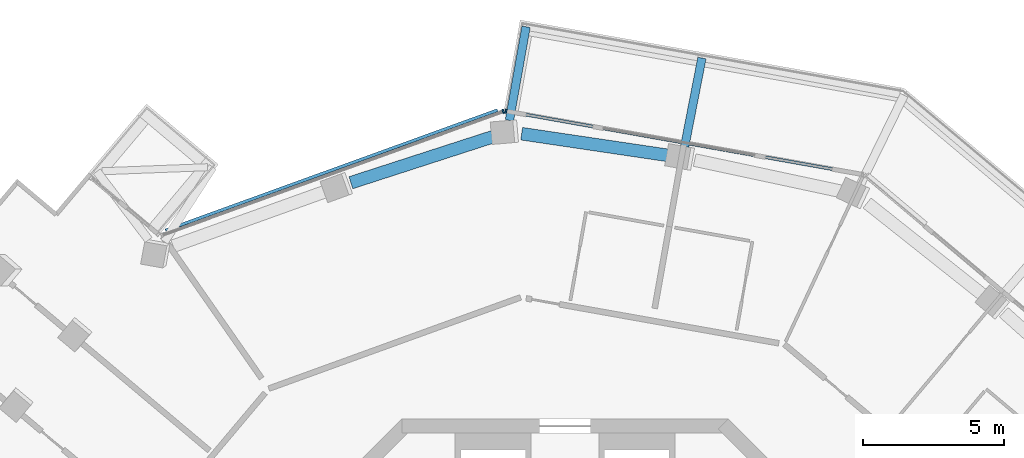
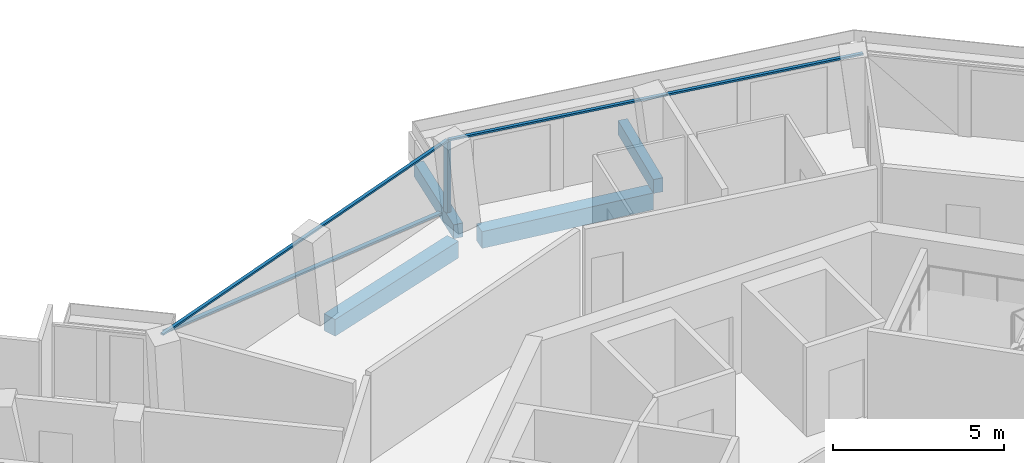
# One storey, part 6 of 22: 5 members, 4 beams, 2 elements without a shape of their own.
"""IFC4 building model written with IfcOpenShell, lengths in metres."""

import ifcopenshell
import ifcopenshell.guid

model = None  # the IFC model being written
_history = None  # IfcOwnerHistory: only IFC2X3 demands one
_inside = {}  # id of a spatial element -> (the spatial element, [elements in it])
_under = {}  # id of a project, library or spatial element -> (it, [spatial elements below it])
_declared = {}  # id of a project -> (the project, [libraries it declares])
_typed = {}  # id of a type object -> (the type object, [elements of that type])
_made_of = {}  # id of a material, layer set ... -> (it, [elements and type objects made of it])


def new_model(schema):
    """Start an empty IFC model of exactly this schema.

    Asked for "IFC4X3", IfcOpenShell would pick the latest addendum, in which some entities
    have other attributes; the version numbers below select the first issue.
    IFC2X3 requires an IfcOwnerHistory on every rooted entity: one is made here for all.
    """
    global model, _history
    if schema == "IFC4X3":
        model = ifcopenshell.file(schema_version=(4, 3, 0, 0))
    else:
        model = ifcopenshell.file(schema=schema)
    _inside.clear()
    _under.clear()
    _declared.clear()
    _typed.clear()
    _made_of.clear()
    _history = None
    if model.schema == "IFC2X3":
        org = make("IfcOrganization", Name="unknown")
        user = make(
            "IfcPersonAndOrganization",
            ThePerson=make("IfcPerson", FamilyName="unknown"),
            TheOrganization=org,
        )
        app = make(
            "IfcApplication",
            ApplicationDeveloper=org,
            Version="unknown",
            ApplicationFullName="unknown",
            ApplicationIdentifier="unknown",
        )
        _history = make(
            "IfcOwnerHistory",
            OwningUser=user,
            OwningApplication=app,
            ChangeAction="ADDED",
            CreationDate=0,
        )
    return model


def make(cls, **values):
    """One entity of the class cls with the attributes given. An attribute that is None is left unset."""
    return model.create_entity(
        cls, **{name: value for name, value in values.items() if value is not None}
    )


def rooted(cls, **values):
    """An entity with a GlobalId (a new one), such as an element, a storey or a relation."""
    return make(cls, GlobalId=ifcopenshell.guid.new(), OwnerHistory=_history, **values)


def si_unit(unit_type, name, prefix=None):
    """IfcSIUnit, for example si_unit("LENGTHUNIT", "METRE", prefix="MILLI")."""
    return make("IfcSIUnit", UnitType=unit_type, Prefix=prefix, Name=name)


def assignment(units):
    """IfcUnitAssignment: the units of a project."""
    return None if units is None else make("IfcUnitAssignment", Units=units)


def point(xyz):
    """IfcCartesianPoint."""
    return None if xyz is None else make("IfcCartesianPoint", Coordinates=xyz)


def direction(xyz):
    """IfcDirection."""
    return None if xyz is None else make("IfcDirection", DirectionRatios=xyz)


def frame(location, z_axis=None, x_axis=None):
    """IfcAxis2Placement3D, a coordinate frame: its origin and axes. An axis left out is left unset."""
    return make(
        "IfcAxis2Placement3D",
        Location=point(location),
        Axis=direction(z_axis),
        RefDirection=direction(x_axis),
    )


def frame_2d(location, x_axis=None):
    """IfcAxis2Placement2D, a coordinate frame in the plane: its origin and x axis."""
    return make(
        "IfcAxis2Placement2D", Location=point(location), RefDirection=direction(x_axis)
    )


def origin():
    """The frame at (0, 0, 0) with its axes left unset."""
    return frame((0.0, 0.0, 0.0))


def origin_2d():
    """The frame at (0, 0) in the plane with its x axis left unset."""
    return frame_2d((0.0, 0.0))


def place(relative_to, where):
    """IfcLocalPlacement: puts the frame where relative to a parent placement (None: the world)."""
    return make(
        "IfcLocalPlacement", PlacementRelTo=relative_to, RelativePlacement=where
    )


def context(
    kind, dimensions, precision=None, world=None, true_north=None, identifier=None
):
    """IfcGeometricRepresentationContext, for example the 3D "Model" context."""
    return make(
        "IfcGeometricRepresentationContext",
        ContextIdentifier=identifier,
        ContextType=kind,
        CoordinateSpaceDimension=dimensions,
        Precision=precision,
        WorldCoordinateSystem=world,
        TrueNorth=true_north,
    )


def subcontext(parent, identifier, kind, view, scale=None):
    """IfcGeometricRepresentationSubContext, for example "Body" below "Model"."""
    return make(
        "IfcGeometricRepresentationSubContext",
        ContextIdentifier=identifier,
        ContextType=kind,
        ParentContext=parent,
        TargetScale=scale,
        TargetView=view,
    )


def project(units=None, contexts=None):
    """IfcProject with its units and contexts."""
    return rooted(
        "IfcProject",
        Name="project",
        RepresentationContexts=contexts,
        UnitsInContext=assignment(units),
    )


def spatial(cls, under=None, at=None, **own):
    """A site, building, storey or space (cls), placed at a placement, below another one or the project."""
    s = rooted(cls, ObjectPlacement=at, **own)
    if under is not None:
        _under.setdefault(under.id(), (under, []))[1].append(s)
    return s


def profile(cls, at=None, kind="AREA", **sizes):
    """A parametric profile (cls). Its sizes go by their IFC names, for example OverallWidth=200.0."""
    return make(cls, ProfileType=kind, Position=at, **sizes)


def rectangle(**sizes):
    """IfcRectangleProfileDef."""
    return profile("IfcRectangleProfileDef", **sizes)


def extrude(swept, where, along, depth):
    """IfcExtrudedAreaSolid: the profile swept, set in the frame where, extruded along a direction by depth."""
    return make(
        "IfcExtrudedAreaSolid",
        SweptArea=swept,
        Position=where,
        ExtrudedDirection=direction(along),
        Depth=depth,
    )


def shape(context_of_items, identifier, shape_type, items):
    """IfcShapeRepresentation: the items that make up one representation, for example the "Body"."""
    return make(
        "IfcShapeRepresentation",
        ContextOfItems=context_of_items,
        RepresentationIdentifier=identifier,
        RepresentationType=shape_type,
        Items=items,
    )


def material(Name=None, Category=None):
    """IfcMaterial."""
    return make("IfcMaterial", Name=Name, Category=Category)


def layer(
    of_material, thickness, ventilated=None, Name=None, Category=None, Priority=None
):
    """IfcMaterialLayer: one layer of a wall or slab, of a material (None: an air gap)."""
    return make(
        "IfcMaterialLayer",
        Material=of_material,
        LayerThickness=thickness,
        IsVentilated=ventilated,
        Name=Name,
        Category=Category,
        Priority=Priority,
    )


def layer_set(layers, Name=None):
    """IfcMaterialLayerSet."""
    return make("IfcMaterialLayerSet", MaterialLayers=layers, LayerSetName=Name)


def material_profile(
    of_material, cross_section, Name=None, Category=None, Priority=None
):
    """IfcMaterialProfile: a cross section and its material."""
    return make(
        "IfcMaterialProfile",
        Name=Name,
        Material=of_material,
        Profile=cross_section,
        Priority=Priority,
        Category=Category,
    )


def profile_set(profiles, Name=None, composite=None):
    """IfcMaterialProfileSet."""
    return make(
        "IfcMaterialProfileSet",
        Name=Name,
        MaterialProfiles=profiles,
        CompositeProfile=composite,
    )


def made_of(thing, what):
    """Note that an element or type object is made of a material, layer set ...; save() writes the relation."""
    if what is not None:
        _made_of.setdefault(what.id(), (what, []))[1].append(thing)
    return thing


def type_object(cls, material=None, **own):
    """A type object (cls), such as IfcWallType, which elements share."""
    return made_of(rooted(cls, **own), material)


def element(
    cls,
    number,
    at=None,
    inside=None,
    cuts=None,
    type_object=None,
    material=None,
    context=None,
    identifier="Body",
    shape_type=None,
    held_by="IfcProductDefinitionShape",
    body=None,
    shapes=None,
    **own,
):
    """One element of the class cls, such as IfcWall. Its Tag is "e" and its number.

    at: its placement. inside: the storey or other place that contains it. cuts: it is an
    opening in that element (IfcRelVoidsElement). A single representation is given by context,
    identifier, shape_type and body (its items); several are given by shapes. held_by: the class
    of the entity that holds the representations. save() writes the other relations.
    """
    e = rooted(cls, Tag="e%d" % number, ObjectPlacement=at, **own)
    if body is not None:
        shapes = [shape(context, identifier, shape_type, body)]
    if shapes is not None:
        e.Representation = make(held_by, Representations=shapes)
    if inside is not None:
        _inside.setdefault(inside.id(), (inside, []))[1].append(e)
    if cuts is not None:
        rooted(
            "IfcRelVoidsElement", RelatingBuildingElement=cuts, RelatedOpeningElement=e
        )
    if type_object is not None:
        _typed.setdefault(type_object.id(), (type_object, []))[1].append(e)
    return made_of(e, material)


def aggregate(whole, parts):
    """IfcRelAggregates: a whole, such as a stair, and the parts it consists of."""
    return rooted("IfcRelAggregates", RelatingObject=whole, RelatedObjects=parts)


def save(model, path):
    """Write the relations noted so far, then the file.

    IfcRelAggregates (storeys below a building ...), IfcRelContainedInSpatialStructure (elements
    in a storey), IfcRelDefinesByType, IfcRelAssociatesMaterial and IfcRelDeclares: one each for
    every whole, place, type object, material and project.
    """
    for whole, parts in _under.values():
        aggregate(whole, parts)
    for where, things in _inside.values():
        rooted(
            "IfcRelContainedInSpatialStructure",
            RelatedElements=things,
            RelatingStructure=where,
        )
    for kind, things in _typed.values():
        rooted("IfcRelDefinesByType", RelatedObjects=things, RelatingType=kind)
    for what, things in _made_of.values():
        rooted("IfcRelAssociatesMaterial", RelatedObjects=things, RelatingMaterial=what)
    for by, libraries in _declared.values():
        rooted("IfcRelDeclares", RelatingContext=by, RelatedDefinitions=libraries)
    model.write(path)


model = new_model("IFC4")

# Units and contexts
model_context = context("Model", 3, precision=1e-05, world=origin(), true_north=direction((0.0, 1.0)))
body_context = subcontext(model_context, "Body", "Model", "MODEL_VIEW")
ifc_project = project(units=[si_unit("LENGTHUNIT", "METRE"), si_unit("AREAUNIT", "SQUARE_METRE"), si_unit("VOLUMEUNIT", "CUBIC_METRE"), si_unit("PLANEANGLEUNIT", "RADIAN"), si_unit("MASSUNIT", "GRAM", prefix="KILO")], contexts=[model_context])

# Site, building, storey
site_placement = place(None, origin())
site = spatial("IfcSite", under=ifc_project, at=site_placement, CompositionType="ELEMENT")
building_placement = place(site_placement, origin())
building = spatial("IfcBuilding", under=site, at=building_placement, Name="Verdalira Terraces Hotel", CompositionType="ELEMENT")
storey_placement = place(building_placement, frame((0.0, 0.0, 237.5)))
storey = spatial("IfcBuildingStorey", under=building, at=storey_placement, Name="L58", CompositionType="ELEMENT", Elevation=237.5)

# Beams
ifc_material_1 = material(Name="Concrete C40", Category="concrete")
ifc_material_profile_1 = material_profile(ifc_material_1, rectangle(XDim=0.300049, YDim=0.5, at=origin_2d()), Name="RC 300X500")
ifc_profile_set_1 = profile_set([ifc_material_profile_1], Name="Concrete C40")
beam_type_1 = type_object("IfcBeamType", Name="Balcony cantilever beam RC 300X500 C40", PredefinedType="BEAM", material=ifc_profile_set_1)
beam_1_placement = place(storey_placement, frame((4.251953, 23.679199, -0.560059), z_axis=(0.191449427, 0.981502479, 0.0), x_axis=(-0.981502479, 0.191449427, 0.0)))
element("IfcBeam", 1, at=beam_1_placement, inside=storey, type_object=beam_type_1, Name="Balcony cantilever beam R39-4", PredefinedType="BEAM", context=body_context, shape_type="SweptSolid", body=[
    extrude(rectangle(XDim=0.300049, YDim=0.5, at=origin_2d()), origin(), (0.0, 0.0, 1.0), 3.200928),
])
beam_2_placement = place(storey_placement, frame((-1.974854, 24.60498, -0.560059), z_axis=(0.17507536, 0.984555036, 0.0), x_axis=(-0.984555036, 0.17507536, 0.0)))
element("IfcBeam", 2, at=beam_2_placement, inside=storey, type_object=beam_type_1, Name="Balcony cantilever beam R39-5", PredefinedType="BEAM", context=body_context, shape_type="SweptSolid", body=[
    extrude(rectangle(XDim=0.300049, YDim=0.5, at=origin_2d()), origin(), (0.0, 0.0, 1.0), 3.378906),
])

# Curtain wall, member
ifc_material_2 = material(Name="Clear glass", Category="glass")
ifc_layer = layer(ifc_material_2, 0.14990234375)
ifc_layer_set = layer_set([ifc_layer], Name="CW1 curtain wall")
curtain_wall_type = type_object("IfcCurtainWallType", Name="CW1 curtain wall", PredefinedType="NOTDEFINED", material=ifc_layer_set)
curtain_wall_1_placement = place(storey_placement, origin())
curtain_wall_1 = element("IfcCurtainWall", 3, at=curtain_wall_1_placement, inside=storey, type_object=curtain_wall_type, Name="CW1 curtain wall L58 edge 40", PredefinedType="NOTDEFINED")
ifc_material_3 = material(Name="Terracotta frame", Category="masonry")
ifc_material_profile_2 = material_profile(ifc_material_3, rectangle(XDim=0.060059, YDim=0.149902, at=origin_2d()), Name="MU 60x150")
ifc_profile_set_2 = profile_set([ifc_material_profile_2], Name="Terracotta frame")
member_type_1 = type_object("IfcMemberType", Name="CW1 mullion 60x150", PredefinedType="MULLION", material=ifc_profile_set_2)
member_1_placement = place(storey_placement, frame((-2.0979, 24.935303, 0.0), z_axis=(0.0, 0.0, 1.0), x_axis=(-0.984564335, 0.175023059, 0.0)))
member_1 = element("IfcMember", 4, at=member_1_placement, type_object=member_type_1, Name="CW1 mullion", PredefinedType="MULLION", context=body_context, shape_type="SweptSolid", body=[
    extrude(rectangle(XDim=0.060059, YDim=0.149902, at=origin_2d()), origin(), (0.0, 0.0, 1.0), 2.524902),
])

curtain_wall_2_placement = place(storey_placement, origin())
curtain_wall_2 = element("IfcCurtainWall", 5, at=curtain_wall_2_placement, inside=storey, type_object=curtain_wall_type, Name="CW1 curtain wall L58 edge 41", PredefinedType="NOTDEFINED")
member_2_placement = place(storey_placement, frame((-2.194336, 24.927002, 0.0), z_axis=(0.0, 0.0, 1.0), x_axis=(-0.940169255, -0.340707752, 0.0)))
member_2 = element("IfcMember", 6, at=member_2_placement, type_object=member_type_1, Name="CW1 mullion", PredefinedType="MULLION", context=body_context, shape_type="SweptSolid", body=[
    extrude(rectangle(XDim=0.060059, YDim=0.149902, at=origin_2d()), origin(), (0.0, 0.0, 1.0), 2.524902),
])

# Member
ifc_material_4 = material(Name="Terracotta frame", Category="masonry")
ifc_material_profile_3 = material_profile(ifc_material_4, rectangle(XDim=0.110107, YDim=0.064941, at=origin_2d()), Name="TR 65x110")
ifc_profile_set_3 = profile_set([ifc_material_profile_3], Name="Terracotta frame")
member_type_2 = type_object("IfcMemberType", Name="CW1 transom 65x110", PredefinedType="USERDEFINED", material=ifc_profile_set_3)
member_3_placement = place(storey_placement, frame((10.592773, 22.679443, 2.557617), z_axis=(-0.984564389, 0.175022751, 0.0), x_axis=(-0.175022751, -0.984564389, 0.0)))
member_3 = element("IfcMember", 7, at=member_3_placement, type_object=member_type_2, Name="CW1 transom", ObjectType="TRANSOM", PredefinedType="USERDEFINED", context=body_context, shape_type="SweptSolid", body=[
    extrude(rectangle(XDim=0.110107, YDim=0.064941, at=origin_2d()), origin(), (0.0, 0.0, 1.0), 12.919678),
])

aggregate(curtain_wall_1, [member_1, member_3])

member_4_placement = place(storey_placement, frame((-2.166016, 24.937256, 2.557617), z_axis=(-0.940170162, -0.340705249, 0.0), x_axis=(0.340705249, -0.940170162, 0.0)))
member_4 = element("IfcMember", 8, at=member_4_placement, type_object=member_type_2, Name="CW1 transom", ObjectType="TRANSOM", PredefinedType="USERDEFINED", context=body_context, shape_type="SweptSolid", body=[
    extrude(rectangle(XDim=0.110107, YDim=0.064941, at=origin_2d()), origin(), (0.0, 0.0, 1.0), 12.959961),
])

ifc_material_5 = material(Name="Terracotta frame", Category="masonry")
ifc_material_profile_4 = material_profile(ifc_material_5, rectangle(XDim=0.149902, YDim=0.060059, at=origin_2d()), Name="GB 60x150")
ifc_profile_set_4 = profile_set([ifc_material_profile_4], Name="Terracotta frame")
member_type_3 = type_object("IfcMemberType", Name="Diagonal glazing bar 60x150", PredefinedType="USERDEFINED", material=ifc_profile_set_4)
member_5_placement = place(storey_placement, frame((-2.395508, 24.948975, 0.029785), z_axis=(-0.922495402, -0.334320268, 0.192956451), x_axis=(0.340723372, -0.940163594, 0.0)))
member_5 = element("IfcMember", 9, at=member_5_placement, type_object=member_type_3, Name="Diagonal glazing bar", ObjectType="GLAZING BAR", PredefinedType="USERDEFINED", context=body_context, shape_type="SweptSolid", body=[
    extrude(rectangle(XDim=0.149902, YDim=0.060059, at=origin_2d()), origin(), (0.0, 0.0, 1.0), 12.776611),
])

aggregate(curtain_wall_2, [member_2, member_4, member_5])

# Beams
ifc_material_6 = material(Name="Concrete C40", Category="concrete")
ifc_material_profile_5 = material_profile(ifc_material_6, rectangle(XDim=0.449951, YDim=0.600098, at=origin_2d()), Name="RC 450X600")
ifc_profile_set_5 = profile_set([ifc_material_profile_5], Name="Concrete C40")
beam_type_2 = type_object("IfcBeamType", Name="Spandrel beam RC 450X600 C40", PredefinedType="SPANDREL", material=ifc_profile_set_5)
beam_3_placement = place(storey_placement, frame((3.79541, 23.341797, -0.610107), z_axis=(-0.989210508, 0.146501094, 0.0), x_axis=(-0.146501094, -0.989210508, 0.0)))
element("IfcBeam", 10, at=beam_3_placement, inside=storey, type_object=beam_type_2, Name="Spandrel beam B21", PredefinedType="SPANDREL", context=body_context, shape_type="SweptSolid", body=[
    extrude(rectangle(XDim=0.449951, YDim=0.600098, at=origin_2d()), origin(), (0.0, 0.0, 1.0), 5.394287),
])
beam_4_placement = place(storey_placement, frame((-2.473389, 24.05249, -0.610107), z_axis=(-0.951437504, -0.307841965, 0.0), x_axis=(0.307841965, -0.951437504, 0.0)))
element("IfcBeam", 11, at=beam_4_placement, inside=storey, type_object=beam_type_2, Name="Spandrel beam B22", PredefinedType="SPANDREL", context=body_context, shape_type="SweptSolid", body=[
    extrude(rectangle(XDim=0.449951, YDim=0.600098, at=origin_2d()), origin(), (0.0, 0.0, 1.0), 5.396729),
])

save(model, "model.ifc")
